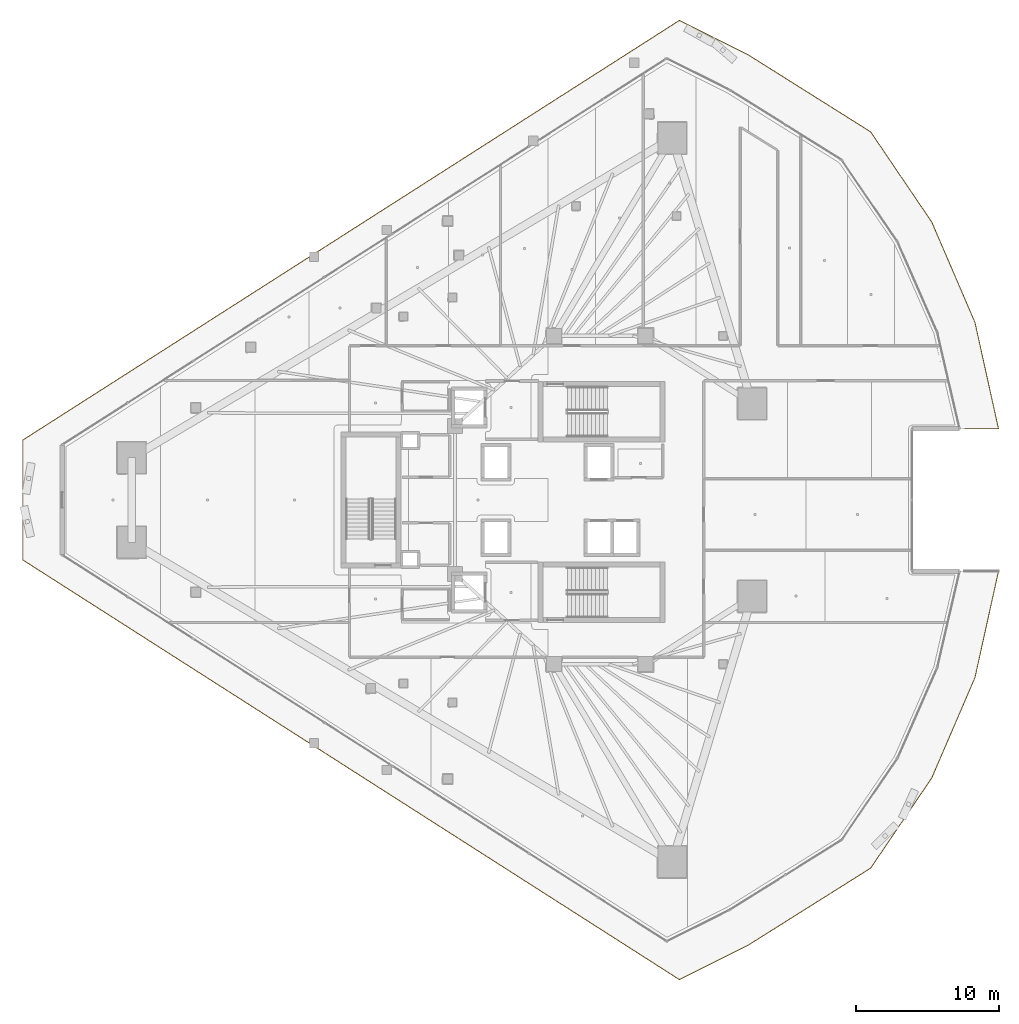
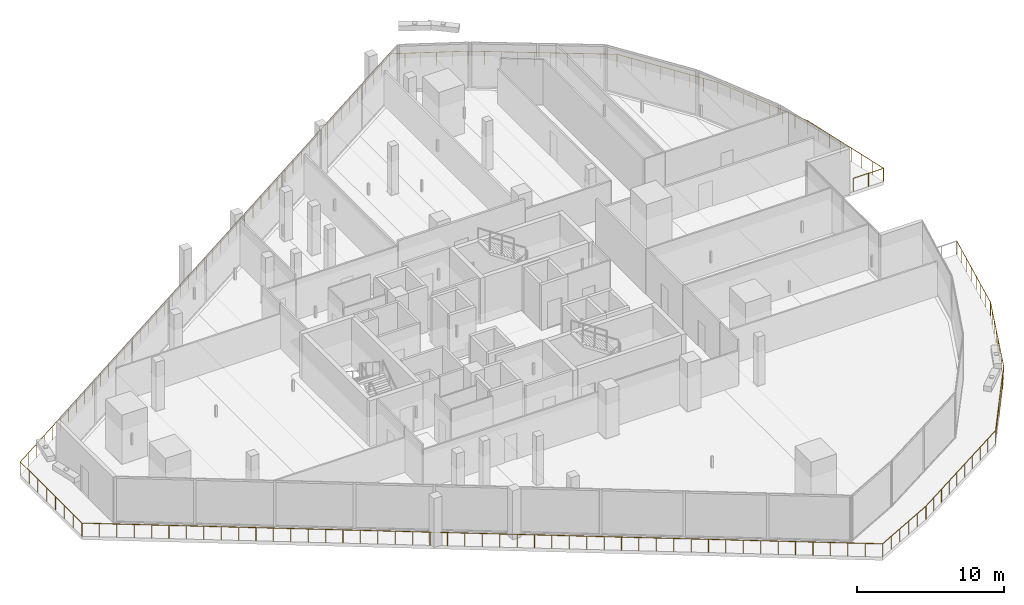
# One storey, part 38 of 42: 1 railing.
"""IFC4 building model written with IfcOpenShell, lengths in metres."""

from ifc_helpers import new_model, si_unit, direction, frame, origin, origin_2d, place, context, subcontext, project, spatial, circle, extrude, material, type_object, element, save


model = new_model("IFC4")

# Units and contexts
model_context = context("Model", 3, precision=1e-05, world=origin(), true_north=direction((0.0, 1.0)))
body_context = subcontext(model_context, "Body", "Model", "MODEL_VIEW")
ifc_project = project(units=[si_unit("LENGTHUNIT", "METRE"), si_unit("AREAUNIT", "SQUARE_METRE"), si_unit("VOLUMEUNIT", "CUBIC_METRE"), si_unit("PLANEANGLEUNIT", "RADIAN"), si_unit("MASSUNIT", "GRAM", prefix="KILO")], contexts=[model_context])

# Site, building, storey
site_placement = place(None, origin())
site = spatial("IfcSite", under=ifc_project, at=site_placement, CompositionType="ELEMENT")
building_placement = place(site_placement, origin())
building = spatial("IfcBuilding", under=site, at=building_placement, Name="Qorvath Tower", CompositionType="ELEMENT")
storey_placement = place(building_placement, frame((0.0, 0.0, 121.949951171875)))
storey = spatial("IfcBuildingStorey", under=building, at=storey_placement, Name="L27", CompositionType="ELEMENT", Elevation=121.949951171875)

# Railing
ifc_material = material(Name="Laminated safety glass and stainless steel AISI 316", Category="steel")
railing_type = type_object("IfcRailingType", Name="RL-EXT-GRD", PredefinedType="GUARDRAIL", material=ifc_material)
railing_placement = place(storey_placement, frame((7.4150390625, -4.968017578125, 0.0)))
element("IfcRailing", 1, at=railing_placement, inside=storey, type_object=railing_type, Name="Loggia Perimeter Guardrail L27-1.1", PredefinedType="GUARDRAIL", context=body_context, shape_type="SweptSolid", body=[
    extrude(circle(Radius=0.02392578125, at=origin_2d()), frame((0.0, 0.0, 1.09619140625), z_axis=(-0.216101297226, -0.976370948634, 0.0), x_axis=(0.976370948634, -0.216101297226, 0.0)), (0.0, 0.0, 1.0), 7.607666015625),
    extrude(circle(Radius=0.02392578125, at=origin_2d()), frame((-1.64404296875, -7.427978515625, 1.09619140625), z_axis=(-0.395471886854, -0.918478081779, 0.0), x_axis=(0.918478081779, -0.395471886854, 0.0)), (0.0, 0.0, 1.0), 7.607421875),
    extrude(circle(Radius=0.02392578125, at=origin_2d()), frame((-4.652587890625, -14.415283203125, 1.09619140625), z_axis=(-0.560831824611, -0.827929746116, 0.0), x_axis=(0.827929746116, -0.560831824611, 0.0)), (0.0, 0.0, 1.0), 7.607666015625),
    extrude(circle(Radius=0.02392578125, at=origin_2d()), frame((-8.919189453125, -20.7138671875, 1.09619140625), z_axis=(-0.846499520237, -0.532389483592, 0.0), x_axis=(0.532389483592, -0.846499520237, 0.0)), (0.0, 0.0, 1.0), 10.11669921875),
    extrude(circle(Radius=0.02392578125, at=origin_2d()), frame((-17.48291015625, -26.099853515625, 1.09619140625), z_axis=(-0.894418053376, -0.447231870281, 0.0), x_axis=(0.447231870281, -0.894418053376, 0.0)), (0.0, 0.0, 1.0), 5.34375),
    extrude(circle(Radius=0.02392578125, at=origin_2d()), frame((-22.262451171875, -28.48974609375, 1.09619140625), z_axis=(-0.842602631353, 0.538535797916, 0.0), x_axis=(-0.538535797916, -0.842602631353, 0.0)), (0.0, 0.0, 1.0), 54.361572265625),
    extrude(circle(Radius=0.02392578125, at=origin_2d()), frame((-68.067626953125, 0.785888671875, 1.09619140625), z_axis=(0.0, 1.0, 0.0), x_axis=(-1.0, 0.0, 0.0)), (0.0, 0.0, 1.0), 8.3642578125),
    extrude(circle(Radius=0.02392578125, at=origin_2d()), frame((-68.067626953125, 9.150146484375, 1.09619140625), z_axis=(0.842602631353, 0.538535797916, 0.0), x_axis=(-0.538535797916, 0.842602631353, 0.0)), (0.0, 0.0, 1.0), 54.361572265625),
    extrude(circle(Radius=0.02392578125, at=origin_2d()), frame((-22.262451171875, 38.42578125, 1.09619140625), z_axis=(0.894418053376, -0.447231870281, 0.0), x_axis=(0.447231870281, 0.894418053376, 0.0)), (0.0, 0.0, 1.0), 5.34375),
    extrude(circle(Radius=0.02392578125, at=origin_2d()), frame((-17.48291015625, 36.035888671875, 1.09619140625), z_axis=(0.846499520237, -0.532389483592, 0.0), x_axis=(0.532389483592, 0.846499520237, 0.0)), (0.0, 0.0, 1.0), 10.11669921875),
    extrude(circle(Radius=0.02392578125, at=origin_2d()), frame((-8.919189453125, 30.64990234375, 1.09619140625), z_axis=(0.560831824611, -0.827929746116, 0.0), x_axis=(0.827929746116, 0.560831824611, 0.0)), (0.0, 0.0, 1.0), 7.607666015625),
    extrude(circle(Radius=0.02392578125, at=origin_2d()), frame((-4.652587890625, 24.351318359375, 1.09619140625), z_axis=(0.395471886854, -0.918478081779, 0.0), x_axis=(0.918478081779, 0.395471886854, 0.0)), (0.0, 0.0, 1.0), 7.607421875),
    extrude(circle(Radius=0.02392578125, at=origin_2d()), frame((-1.64404296875, 17.364013671875, 1.09619140625), z_axis=(0.216101297226, -0.976370948634, 0.0), x_axis=(0.976370948634, 0.216101297226, 0.0)), (0.0, 0.0, 1.0), 7.607666015625),
    extrude(circle(Radius=0.02392578125, at=origin_2d()), frame((0.0, 9.93603515625, 1.09619140625), z_axis=(-1.0, 0.0, 0.0), x_axis=(0.0, -1.0, 0.0)), (0.0, 0.0, 1.0), 2.366455078125),
    extrude(circle(Radius=0.02099609375, at=origin_2d()), origin(), (0.0, 0.0, 1.0), 1.072021484375),
    extrude(circle(Radius=0.02099609375, at=origin_2d()), frame((-0.23486328125, -1.06103515625, 0.0)), (0.0, 0.0, 1.0), 1.072021484375),
    extrude(circle(Radius=0.02099609375, at=origin_2d()), frame((-0.4697265625, -2.122314453125, 0.0)), (0.0, 0.0, 1.0), 1.072021484375),
    extrude(circle(Radius=0.02099609375, at=origin_2d()), frame((-0.70458984375, -3.183349609375, 0.0)), (0.0, 0.0, 1.0), 1.072021484375),
    extrude(circle(Radius=0.02099609375, at=origin_2d()), frame((-0.939453125, -4.24462890625, 0.0)), (0.0, 0.0, 1.0), 1.072021484375),
    extrude(circle(Radius=0.02099609375, at=origin_2d()), frame((-1.17431640625, -5.3056640625, 0.0)), (0.0, 0.0, 1.0), 1.072021484375),
    extrude(circle(Radius=0.02099609375, at=origin_2d()), frame((-1.4091796875, -6.366943359375, 0.0)), (0.0, 0.0, 1.0), 1.072021484375),
    extrude(circle(Radius=0.02099609375, at=origin_2d()), frame((-1.64404296875, -7.427978515625, 0.0)), (0.0, 0.0, 1.0), 1.072021484375),
    extrude(circle(Radius=0.02099609375, at=origin_2d()), frame((-2.07373046875, -8.42626953125, 0.0)), (0.0, 0.0, 1.0), 1.072021484375),
    extrude(circle(Radius=0.02099609375, at=origin_2d()), frame((-2.503662109375, -9.42431640625, 0.0)), (0.0, 0.0, 1.0), 1.072021484375),
    extrude(circle(Radius=0.02099609375, at=origin_2d()), frame((-2.933349609375, -10.422607421875, 0.0)), (0.0, 0.0, 1.0), 1.072021484375),
    extrude(circle(Radius=0.02099609375, at=origin_2d()), frame((-3.36328125, -11.420654296875, 0.0)), (0.0, 0.0, 1.0), 1.072021484375),
    extrude(circle(Radius=0.02099609375, at=origin_2d()), frame((-3.79296875, -12.4189453125, 0.0)), (0.0, 0.0, 1.0), 1.072021484375),
    extrude(circle(Radius=0.02099609375, at=origin_2d()), frame((-4.222900390625, -13.4169921875, 0.0)), (0.0, 0.0, 1.0), 1.072021484375),
    extrude(circle(Radius=0.02099609375, at=origin_2d()), frame((-4.652587890625, -14.415283203125, 0.0)), (0.0, 0.0, 1.0), 1.072021484375),
    extrude(circle(Radius=0.02099609375, at=origin_2d()), frame((-5.26220703125, -15.315185546875, 0.0)), (0.0, 0.0, 1.0), 1.072021484375),
    extrude(circle(Radius=0.02099609375, at=origin_2d()), frame((-5.87158203125, -16.21484375, 0.0)), (0.0, 0.0, 1.0), 1.072021484375),
    extrude(circle(Radius=0.02099609375, at=origin_2d()), frame((-6.481201171875, -17.11474609375, 0.0)), (0.0, 0.0, 1.0), 1.072021484375),
    extrude(circle(Radius=0.02099609375, at=origin_2d()), frame((-7.090576171875, -18.014404296875, 0.0)), (0.0, 0.0, 1.0), 1.072021484375),
    extrude(circle(Radius=0.02099609375, at=origin_2d()), frame((-7.7001953125, -18.914306640625, 0.0)), (0.0, 0.0, 1.0), 1.072021484375),
    extrude(circle(Radius=0.02099609375, at=origin_2d()), frame((-8.3095703125, -19.81396484375, 0.0)), (0.0, 0.0, 1.0), 1.072021484375),
    extrude(circle(Radius=0.02099609375, at=origin_2d()), frame((-8.919189453125, -20.7138671875, 0.0)), (0.0, 0.0, 1.0), 1.072021484375),
    extrude(circle(Radius=0.02099609375, at=origin_2d()), frame((-9.87060546875, -21.312255859375, 0.0)), (0.0, 0.0, 1.0), 1.072021484375),
    extrude(circle(Radius=0.02099609375, at=origin_2d()), frame((-10.822265625, -21.91064453125, 0.0)), (0.0, 0.0, 1.0), 1.072021484375),
    extrude(circle(Radius=0.02099609375, at=origin_2d()), frame((-11.773681640625, -22.50927734375, 0.0)), (0.0, 0.0, 1.0), 1.072021484375),
    extrude(circle(Radius=0.02099609375, at=origin_2d()), frame((-12.725341796875, -23.107666015625, 0.0)), (0.0, 0.0, 1.0), 1.072021484375),
    extrude(circle(Radius=0.02099609375, at=origin_2d()), frame((-13.6767578125, -23.7060546875, 0.0)), (0.0, 0.0, 1.0), 1.072021484375),
    extrude(circle(Radius=0.02099609375, at=origin_2d()), frame((-14.62841796875, -24.304443359375, 0.0)), (0.0, 0.0, 1.0), 1.072021484375),
    extrude(circle(Radius=0.02099609375, at=origin_2d()), frame((-15.579833984375, -24.903076171875, 0.0)), (0.0, 0.0, 1.0), 1.072021484375),
    extrude(circle(Radius=0.02099609375, at=origin_2d()), frame((-16.531494140625, -25.50146484375, 0.0)), (0.0, 0.0, 1.0), 1.072021484375),
    extrude(circle(Radius=0.02099609375, at=origin_2d()), frame((-17.48291015625, -26.099853515625, 0.0)), (0.0, 0.0, 1.0), 1.072021484375),
    extrude(circle(Radius=0.02099609375, at=origin_2d()), frame((-18.438720703125, -26.577880859375, 0.0)), (0.0, 0.0, 1.0), 1.072021484375),
    extrude(circle(Radius=0.02099609375, at=origin_2d()), frame((-19.394775390625, -27.055908203125, 0.0)), (0.0, 0.0, 1.0), 1.072021484375),
    extrude(circle(Radius=0.02099609375, at=origin_2d()), frame((-20.3505859375, -27.53369140625, 0.0)), (0.0, 0.0, 1.0), 1.072021484375),
    extrude(circle(Radius=0.02099609375, at=origin_2d()), frame((-21.306640625, -28.01171875, 0.0)), (0.0, 0.0, 1.0), 1.072021484375),
    extrude(circle(Radius=0.02099609375, at=origin_2d()), frame((-22.262451171875, -28.48974609375, 0.0)), (0.0, 0.0, 1.0), 1.072021484375),
    extrude(circle(Radius=0.02099609375, at=origin_2d()), frame((-23.25830078125, -27.853271484375, 0.0)), (0.0, 0.0, 1.0), 1.072021484375),
    extrude(circle(Radius=0.02099609375, at=origin_2d()), frame((-24.25390625, -27.216796875, 0.0)), (0.0, 0.0, 1.0), 1.072021484375),
    extrude(circle(Radius=0.02099609375, at=origin_2d()), frame((-25.249755859375, -26.58056640625, 0.0)), (0.0, 0.0, 1.0), 1.072021484375),
    extrude(circle(Radius=0.02099609375, at=origin_2d()), frame((-26.24560546875, -25.944091796875, 0.0)), (0.0, 0.0, 1.0), 1.072021484375),
    extrude(circle(Radius=0.02099609375, at=origin_2d()), frame((-27.2412109375, -25.3076171875, 0.0)), (0.0, 0.0, 1.0), 1.072021484375),
    extrude(circle(Radius=0.02099609375, at=origin_2d()), frame((-28.237060546875, -24.671142578125, 0.0)), (0.0, 0.0, 1.0), 1.072021484375),
    extrude(circle(Radius=0.02099609375, at=origin_2d()), frame((-29.23291015625, -24.03466796875, 0.0)), (0.0, 0.0, 1.0), 1.072021484375),
    extrude(circle(Radius=0.02099609375, at=origin_2d()), frame((-30.228515625, -23.3984375, 0.0)), (0.0, 0.0, 1.0), 1.072021484375),
    extrude(circle(Radius=0.02099609375, at=origin_2d()), frame((-31.224365234375, -22.761962890625, 0.0)), (0.0, 0.0, 1.0), 1.072021484375),
    extrude(circle(Radius=0.02099609375, at=origin_2d()), frame((-32.22021484375, -22.12548828125, 0.0)), (0.0, 0.0, 1.0), 1.072021484375),
    extrude(circle(Radius=0.02099609375, at=origin_2d()), frame((-33.2158203125, -21.489013671875, 0.0)), (0.0, 0.0, 1.0), 1.072021484375),
    extrude(circle(Radius=0.02099609375, at=origin_2d()), frame((-34.211669921875, -20.8525390625, 0.0)), (0.0, 0.0, 1.0), 1.072021484375),
    extrude(circle(Radius=0.02099609375, at=origin_2d()), frame((-35.207275390625, -20.21630859375, 0.0)), (0.0, 0.0, 1.0), 1.072021484375),
    extrude(circle(Radius=0.02099609375, at=origin_2d()), frame((-36.203125, -19.579833984375, 0.0)), (0.0, 0.0, 1.0), 1.072021484375),
    extrude(circle(Radius=0.02099609375, at=origin_2d()), frame((-37.198974609375, -18.943359375, 0.0)), (0.0, 0.0, 1.0), 1.072021484375),
    extrude(circle(Radius=0.02099609375, at=origin_2d()), frame((-38.194580078125, -18.306884765625, 0.0)), (0.0, 0.0, 1.0), 1.072021484375),
    extrude(circle(Radius=0.02099609375, at=origin_2d()), frame((-39.1904296875, -17.67041015625, 0.0)), (0.0, 0.0, 1.0), 1.072021484375),
    extrude(circle(Radius=0.02099609375, at=origin_2d()), frame((-40.186279296875, -17.0341796875, 0.0)), (0.0, 0.0, 1.0), 1.072021484375),
    extrude(circle(Radius=0.02099609375, at=origin_2d()), frame((-41.181884765625, -16.397705078125, 0.0)), (0.0, 0.0, 1.0), 1.072021484375),
    extrude(circle(Radius=0.02099609375, at=origin_2d()), frame((-42.177734375, -15.76123046875, 0.0)), (0.0, 0.0, 1.0), 1.072021484375),
    extrude(circle(Radius=0.02099609375, at=origin_2d()), frame((-43.173583984375, -15.124755859375, 0.0)), (0.0, 0.0, 1.0), 1.072021484375),
    extrude(circle(Radius=0.02099609375, at=origin_2d()), frame((-44.169189453125, -14.48828125, 0.0)), (0.0, 0.0, 1.0), 1.072021484375),
    extrude(circle(Radius=0.02099609375, at=origin_2d()), frame((-45.1650390625, -13.85205078125, 0.0)), (0.0, 0.0, 1.0), 1.072021484375),
    extrude(circle(Radius=0.02099609375, at=origin_2d()), frame((-46.160888671875, -13.215576171875, 0.0)), (0.0, 0.0, 1.0), 1.072021484375),
    extrude(circle(Radius=0.02099609375, at=origin_2d()), frame((-47.156494140625, -12.5791015625, 0.0)), (0.0, 0.0, 1.0), 1.072021484375),
    extrude(circle(Radius=0.02099609375, at=origin_2d()), frame((-48.15234375, -11.942626953125, 0.0)), (0.0, 0.0, 1.0), 1.072021484375),
    extrude(circle(Radius=0.02099609375, at=origin_2d()), frame((-49.148193359375, -11.30615234375, 0.0)), (0.0, 0.0, 1.0), 1.072021484375),
    extrude(circle(Radius=0.02099609375, at=origin_2d()), frame((-50.143798828125, -10.669677734375, 0.0)), (0.0, 0.0, 1.0), 1.072021484375),
    extrude(circle(Radius=0.02099609375, at=origin_2d()), frame((-51.1396484375, -10.033447265625, 0.0)), (0.0, 0.0, 1.0), 1.072021484375),
    extrude(circle(Radius=0.02099609375, at=origin_2d()), frame((-52.135498046875, -9.39697265625, 0.0)), (0.0, 0.0, 1.0), 1.072021484375),
    extrude(circle(Radius=0.02099609375, at=origin_2d()), frame((-53.131103515625, -8.760498046875, 0.0)), (0.0, 0.0, 1.0), 1.072021484375),
    extrude(circle(Radius=0.02099609375, at=origin_2d()), frame((-54.126953125, -8.1240234375, 0.0)), (0.0, 0.0, 1.0), 1.072021484375),
    extrude(circle(Radius=0.02099609375, at=origin_2d()), frame((-55.122802734375, -7.487548828125, 0.0)), (0.0, 0.0, 1.0), 1.072021484375),
    extrude(circle(Radius=0.02099609375, at=origin_2d()), frame((-56.118408203125, -6.851318359375, 0.0)), (0.0, 0.0, 1.0), 1.072021484375),
    extrude(circle(Radius=0.02099609375, at=origin_2d()), frame((-57.1142578125, -6.21484375, 0.0)), (0.0, 0.0, 1.0), 1.072021484375),
    extrude(circle(Radius=0.02099609375, at=origin_2d()), frame((-58.10986328125, -5.578369140625, 0.0)), (0.0, 0.0, 1.0), 1.072021484375),
    extrude(circle(Radius=0.02099609375, at=origin_2d()), frame((-59.105712890625, -4.94189453125, 0.0)), (0.0, 0.0, 1.0), 1.072021484375),
    extrude(circle(Radius=0.02099609375, at=origin_2d()), frame((-60.1015625, -4.305419921875, 0.0)), (0.0, 0.0, 1.0), 1.072021484375),
    extrude(circle(Radius=0.02099609375, at=origin_2d()), frame((-61.09716796875, -3.669189453125, 0.0)), (0.0, 0.0, 1.0), 1.072021484375),
    extrude(circle(Radius=0.02099609375, at=origin_2d()), frame((-62.093017578125, -3.03271484375, 0.0)), (0.0, 0.0, 1.0), 1.072021484375),
    extrude(circle(Radius=0.02099609375, at=origin_2d()), frame((-63.0888671875, -2.396240234375, 0.0)), (0.0, 0.0, 1.0), 1.072021484375),
    extrude(circle(Radius=0.02099609375, at=origin_2d()), frame((-64.08447265625, -1.759765625, 0.0)), (0.0, 0.0, 1.0), 1.072021484375),
    extrude(circle(Radius=0.02099609375, at=origin_2d()), frame((-65.080322265625, -1.123291015625, 0.0)), (0.0, 0.0, 1.0), 1.072021484375),
    extrude(circle(Radius=0.02099609375, at=origin_2d()), frame((-66.076171875, -0.487060546875, 0.0)), (0.0, 0.0, 1.0), 1.072021484375),
    extrude(circle(Radius=0.02099609375, at=origin_2d()), frame((-67.07177734375, 0.1494140625, 0.0)), (0.0, 0.0, 1.0), 1.072021484375),
    extrude(circle(Radius=0.02099609375, at=origin_2d()), frame((-68.067626953125, 0.785888671875, 0.0)), (0.0, 0.0, 1.0), 1.072021484375),
    extrude(circle(Radius=0.02099609375, at=origin_2d()), frame((-68.067626953125, 1.980712890625, 0.0)), (0.0, 0.0, 1.0), 1.072021484375),
    extrude(circle(Radius=0.02099609375, at=origin_2d()), frame((-68.067626953125, 3.17578125, 0.0)), (0.0, 0.0, 1.0), 1.072021484375),
    extrude(circle(Radius=0.02099609375, at=origin_2d()), frame((-68.067626953125, 4.37060546875, 0.0)), (0.0, 0.0, 1.0), 1.072021484375),
    extrude(circle(Radius=0.02099609375, at=origin_2d()), frame((-68.067626953125, 5.5654296875, 0.0)), (0.0, 0.0, 1.0), 1.072021484375),
    extrude(circle(Radius=0.02099609375, at=origin_2d()), frame((-68.067626953125, 6.76025390625, 0.0)), (0.0, 0.0, 1.0), 1.072021484375),
    extrude(circle(Radius=0.02099609375, at=origin_2d()), frame((-68.067626953125, 7.955322265625, 0.0)), (0.0, 0.0, 1.0), 1.072021484375),
    extrude(circle(Radius=0.02099609375, at=origin_2d()), frame((-68.067626953125, 9.150146484375, 0.0)), (0.0, 0.0, 1.0), 1.072021484375),
    extrude(circle(Radius=0.02099609375, at=origin_2d()), frame((-67.07177734375, 9.78662109375, 0.0)), (0.0, 0.0, 1.0), 1.072021484375),
    extrude(circle(Radius=0.02099609375, at=origin_2d()), frame((-66.076171875, 10.423095703125, 0.0)), (0.0, 0.0, 1.0), 1.072021484375),
    extrude(circle(Radius=0.02099609375, at=origin_2d()), frame((-65.080322265625, 11.059326171875, 0.0)), (0.0, 0.0, 1.0), 1.072021484375),
    extrude(circle(Radius=0.02099609375, at=origin_2d()), frame((-64.08447265625, 11.69580078125, 0.0)), (0.0, 0.0, 1.0), 1.072021484375),
    extrude(circle(Radius=0.02099609375, at=origin_2d()), frame((-63.0888671875, 12.332275390625, 0.0)), (0.0, 0.0, 1.0), 1.072021484375),
    extrude(circle(Radius=0.02099609375, at=origin_2d()), frame((-62.093017578125, 12.96875, 0.0)), (0.0, 0.0, 1.0), 1.072021484375),
    extrude(circle(Radius=0.02099609375, at=origin_2d()), frame((-61.09716796875, 13.605224609375, 0.0)), (0.0, 0.0, 1.0), 1.072021484375),
    extrude(circle(Radius=0.02099609375, at=origin_2d()), frame((-60.1015625, 14.241455078125, 0.0)), (0.0, 0.0, 1.0), 1.072021484375),
    extrude(circle(Radius=0.02099609375, at=origin_2d()), frame((-59.105712890625, 14.8779296875, 0.0)), (0.0, 0.0, 1.0), 1.072021484375),
    extrude(circle(Radius=0.02099609375, at=origin_2d()), frame((-58.10986328125, 15.514404296875, 0.0)), (0.0, 0.0, 1.0), 1.072021484375),
    extrude(circle(Radius=0.02099609375, at=origin_2d()), frame((-57.1142578125, 16.15087890625, 0.0)), (0.0, 0.0, 1.0), 1.072021484375),
    extrude(circle(Radius=0.02099609375, at=origin_2d()), frame((-56.118408203125, 16.787353515625, 0.0)), (0.0, 0.0, 1.0), 1.072021484375),
    extrude(circle(Radius=0.02099609375, at=origin_2d()), frame((-55.122802734375, 17.423583984375, 0.0)), (0.0, 0.0, 1.0), 1.072021484375),
    extrude(circle(Radius=0.02099609375, at=origin_2d()), frame((-54.126953125, 18.06005859375, 0.0)), (0.0, 0.0, 1.0), 1.072021484375),
    extrude(circle(Radius=0.02099609375, at=origin_2d()), frame((-53.131103515625, 18.696533203125, 0.0)), (0.0, 0.0, 1.0), 1.072021484375),
    extrude(circle(Radius=0.02099609375, at=origin_2d()), frame((-52.135498046875, 19.3330078125, 0.0)), (0.0, 0.0, 1.0), 1.072021484375),
    extrude(circle(Radius=0.02099609375, at=origin_2d()), frame((-51.1396484375, 19.969482421875, 0.0)), (0.0, 0.0, 1.0), 1.072021484375),
    extrude(circle(Radius=0.02099609375, at=origin_2d()), frame((-50.143798828125, 20.605712890625, 0.0)), (0.0, 0.0, 1.0), 1.072021484375),
    extrude(circle(Radius=0.02099609375, at=origin_2d()), frame((-49.148193359375, 21.2421875, 0.0)), (0.0, 0.0, 1.0), 1.072021484375),
    extrude(circle(Radius=0.02099609375, at=origin_2d()), frame((-48.15234375, 21.878662109375, 0.0)), (0.0, 0.0, 1.0), 1.072021484375),
    extrude(circle(Radius=0.02099609375, at=origin_2d()), frame((-47.156494140625, 22.51513671875, 0.0)), (0.0, 0.0, 1.0), 1.072021484375),
    extrude(circle(Radius=0.02099609375, at=origin_2d()), frame((-46.160888671875, 23.151611328125, 0.0)), (0.0, 0.0, 1.0), 1.072021484375),
    extrude(circle(Radius=0.02099609375, at=origin_2d()), frame((-45.1650390625, 23.7880859375, 0.0)), (0.0, 0.0, 1.0), 1.072021484375),
    extrude(circle(Radius=0.02099609375, at=origin_2d()), frame((-44.169189453125, 24.42431640625, 0.0)), (0.0, 0.0, 1.0), 1.072021484375),
    extrude(circle(Radius=0.02099609375, at=origin_2d()), frame((-43.173583984375, 25.060791015625, 0.0)), (0.0, 0.0, 1.0), 1.072021484375),
    extrude(circle(Radius=0.02099609375, at=origin_2d()), frame((-42.177734375, 25.697265625, 0.0)), (0.0, 0.0, 1.0), 1.072021484375),
    extrude(circle(Radius=0.02099609375, at=origin_2d()), frame((-41.181884765625, 26.333740234375, 0.0)), (0.0, 0.0, 1.0), 1.072021484375),
    extrude(circle(Radius=0.02099609375, at=origin_2d()), frame((-40.186279296875, 26.97021484375, 0.0)), (0.0, 0.0, 1.0), 1.072021484375),
    extrude(circle(Radius=0.02099609375, at=origin_2d()), frame((-39.1904296875, 27.6064453125, 0.0)), (0.0, 0.0, 1.0), 1.072021484375),
    extrude(circle(Radius=0.02099609375, at=origin_2d()), frame((-38.194580078125, 28.242919921875, 0.0)), (0.0, 0.0, 1.0), 1.072021484375),
    extrude(circle(Radius=0.02099609375, at=origin_2d()), frame((-37.198974609375, 28.87939453125, 0.0)), (0.0, 0.0, 1.0), 1.072021484375),
    extrude(circle(Radius=0.02099609375, at=origin_2d()), frame((-36.203125, 29.515869140625, 0.0)), (0.0, 0.0, 1.0), 1.072021484375),
    extrude(circle(Radius=0.02099609375, at=origin_2d()), frame((-35.207275390625, 30.15234375, 0.0)), (0.0, 0.0, 1.0), 1.072021484375),
    extrude(circle(Radius=0.02099609375, at=origin_2d()), frame((-34.211669921875, 30.78857421875, 0.0)), (0.0, 0.0, 1.0), 1.072021484375),
    extrude(circle(Radius=0.02099609375, at=origin_2d()), frame((-33.2158203125, 31.425048828125, 0.0)), (0.0, 0.0, 1.0), 1.072021484375),
    extrude(circle(Radius=0.02099609375, at=origin_2d()), frame((-32.22021484375, 32.0615234375, 0.0)), (0.0, 0.0, 1.0), 1.072021484375),
    extrude(circle(Radius=0.02099609375, at=origin_2d()), frame((-31.224365234375, 32.697998046875, 0.0)), (0.0, 0.0, 1.0), 1.072021484375),
    extrude(circle(Radius=0.02099609375, at=origin_2d()), frame((-30.228515625, 33.33447265625, 0.0)), (0.0, 0.0, 1.0), 1.072021484375),
    extrude(circle(Radius=0.02099609375, at=origin_2d()), frame((-29.23291015625, 33.970703125, 0.0)), (0.0, 0.0, 1.0), 1.072021484375),
    extrude(circle(Radius=0.02099609375, at=origin_2d()), frame((-28.237060546875, 34.607177734375, 0.0)), (0.0, 0.0, 1.0), 1.072021484375),
    extrude(circle(Radius=0.02099609375, at=origin_2d()), frame((-27.2412109375, 35.24365234375, 0.0)), (0.0, 0.0, 1.0), 1.072021484375),
    extrude(circle(Radius=0.02099609375, at=origin_2d()), frame((-26.24560546875, 35.880126953125, 0.0)), (0.0, 0.0, 1.0), 1.072021484375),
    extrude(circle(Radius=0.02099609375, at=origin_2d()), frame((-25.249755859375, 36.5166015625, 0.0)), (0.0, 0.0, 1.0), 1.072021484375),
    extrude(circle(Radius=0.02099609375, at=origin_2d()), frame((-24.25390625, 37.15283203125, 0.0)), (0.0, 0.0, 1.0), 1.072021484375),
    extrude(circle(Radius=0.02099609375, at=origin_2d()), frame((-23.25830078125, 37.789306640625, 0.0)), (0.0, 0.0, 1.0), 1.072021484375),
    extrude(circle(Radius=0.02099609375, at=origin_2d()), frame((-22.262451171875, 38.42578125, 0.0)), (0.0, 0.0, 1.0), 1.072021484375),
    extrude(circle(Radius=0.02099609375, at=origin_2d()), frame((-21.306640625, 37.94775390625, 0.0)), (0.0, 0.0, 1.0), 1.072021484375),
    extrude(circle(Radius=0.02099609375, at=origin_2d()), frame((-20.3505859375, 37.4697265625, 0.0)), (0.0, 0.0, 1.0), 1.072021484375),
    extrude(circle(Radius=0.02099609375, at=origin_2d()), frame((-19.394775390625, 36.991943359375, 0.0)), (0.0, 0.0, 1.0), 1.072021484375),
    extrude(circle(Radius=0.02099609375, at=origin_2d()), frame((-18.438720703125, 36.513916015625, 0.0)), (0.0, 0.0, 1.0), 1.072021484375),
    extrude(circle(Radius=0.02099609375, at=origin_2d()), frame((-17.48291015625, 36.035888671875, 0.0)), (0.0, 0.0, 1.0), 1.072021484375),
    extrude(circle(Radius=0.02099609375, at=origin_2d()), frame((-16.531494140625, 35.4375, 0.0)), (0.0, 0.0, 1.0), 1.072021484375),
    extrude(circle(Radius=0.02099609375, at=origin_2d()), frame((-15.579833984375, 34.839111328125, 0.0)), (0.0, 0.0, 1.0), 1.072021484375),
    extrude(circle(Radius=0.02099609375, at=origin_2d()), frame((-14.62841796875, 34.240478515625, 0.0)), (0.0, 0.0, 1.0), 1.072021484375),
    extrude(circle(Radius=0.02099609375, at=origin_2d()), frame((-13.6767578125, 33.64208984375, 0.0)), (0.0, 0.0, 1.0), 1.072021484375),
    extrude(circle(Radius=0.02099609375, at=origin_2d()), frame((-12.725341796875, 33.043701171875, 0.0)), (0.0, 0.0, 1.0), 1.072021484375),
    extrude(circle(Radius=0.02099609375, at=origin_2d()), frame((-11.773681640625, 32.4453125, 0.0)), (0.0, 0.0, 1.0), 1.072021484375),
    extrude(circle(Radius=0.02099609375, at=origin_2d()), frame((-10.822265625, 31.8466796875, 0.0)), (0.0, 0.0, 1.0), 1.072021484375),
    extrude(circle(Radius=0.02099609375, at=origin_2d()), frame((-9.87060546875, 31.248291015625, 0.0)), (0.0, 0.0, 1.0), 1.072021484375),
    extrude(circle(Radius=0.02099609375, at=origin_2d()), frame((-8.919189453125, 30.64990234375, 0.0)), (0.0, 0.0, 1.0), 1.072021484375),
    extrude(circle(Radius=0.02099609375, at=origin_2d()), frame((-8.3095703125, 29.75, 0.0)), (0.0, 0.0, 1.0), 1.072021484375),
    extrude(circle(Radius=0.02099609375, at=origin_2d()), frame((-7.7001953125, 28.850341796875, 0.0)), (0.0, 0.0, 1.0), 1.072021484375),
    extrude(circle(Radius=0.02099609375, at=origin_2d()), frame((-7.090576171875, 27.950439453125, 0.0)), (0.0, 0.0, 1.0), 1.072021484375),
    extrude(circle(Radius=0.02099609375, at=origin_2d()), frame((-6.481201171875, 27.05078125, 0.0)), (0.0, 0.0, 1.0), 1.072021484375),
    extrude(circle(Radius=0.02099609375, at=origin_2d()), frame((-5.87158203125, 26.15087890625, 0.0)), (0.0, 0.0, 1.0), 1.072021484375),
    extrude(circle(Radius=0.02099609375, at=origin_2d()), frame((-5.26220703125, 25.251220703125, 0.0)), (0.0, 0.0, 1.0), 1.072021484375),
    extrude(circle(Radius=0.02099609375, at=origin_2d()), frame((-4.652587890625, 24.351318359375, 0.0)), (0.0, 0.0, 1.0), 1.072021484375),
    extrude(circle(Radius=0.02099609375, at=origin_2d()), frame((-4.222900390625, 23.35302734375, 0.0)), (0.0, 0.0, 1.0), 1.072021484375),
    extrude(circle(Radius=0.02099609375, at=origin_2d()), frame((-3.79296875, 22.35498046875, 0.0)), (0.0, 0.0, 1.0), 1.072021484375),
    extrude(circle(Radius=0.02099609375, at=origin_2d()), frame((-3.36328125, 21.356689453125, 0.0)), (0.0, 0.0, 1.0), 1.072021484375),
    extrude(circle(Radius=0.02099609375, at=origin_2d()), frame((-2.933349609375, 20.358642578125, 0.0)), (0.0, 0.0, 1.0), 1.072021484375),
    extrude(circle(Radius=0.02099609375, at=origin_2d()), frame((-2.503662109375, 19.3603515625, 0.0)), (0.0, 0.0, 1.0), 1.072021484375),
    extrude(circle(Radius=0.02099609375, at=origin_2d()), frame((-2.07373046875, 18.3623046875, 0.0)), (0.0, 0.0, 1.0), 1.072021484375),
    extrude(circle(Radius=0.02099609375, at=origin_2d()), frame((-1.64404296875, 17.364013671875, 0.0)), (0.0, 0.0, 1.0), 1.072021484375),
    extrude(circle(Radius=0.02099609375, at=origin_2d()), frame((-1.4091796875, 16.302978515625, 0.0)), (0.0, 0.0, 1.0), 1.072021484375),
    extrude(circle(Radius=0.02099609375, at=origin_2d()), frame((-1.17431640625, 15.24169921875, 0.0)), (0.0, 0.0, 1.0), 1.072021484375),
    extrude(circle(Radius=0.02099609375, at=origin_2d()), frame((-0.939453125, 14.1806640625, 0.0)), (0.0, 0.0, 1.0), 1.072021484375),
    extrude(circle(Radius=0.02099609375, at=origin_2d()), frame((-0.70458984375, 13.119384765625, 0.0)), (0.0, 0.0, 1.0), 1.072021484375),
    extrude(circle(Radius=0.02099609375, at=origin_2d()), frame((-0.4697265625, 12.058349609375, 0.0)), (0.0, 0.0, 1.0), 1.072021484375),
    extrude(circle(Radius=0.02099609375, at=origin_2d()), frame((-0.23486328125, 10.9970703125, 0.0)), (0.0, 0.0, 1.0), 1.072021484375),
    extrude(circle(Radius=0.02099609375, at=origin_2d()), frame((0.0, 9.93603515625, 0.0)), (0.0, 0.0, 1.0), 1.072021484375),
    extrude(circle(Radius=0.02099609375, at=origin_2d()), frame((-1.18310546875, 9.93603515625, 0.0)), (0.0, 0.0, 1.0), 1.072021484375),
    extrude(circle(Radius=0.02099609375, at=origin_2d()), frame((-2.366455078125, 9.93603515625, 0.0)), (0.0, 0.0, 1.0), 1.072021484375),
])

save(model, "model.ifc")
